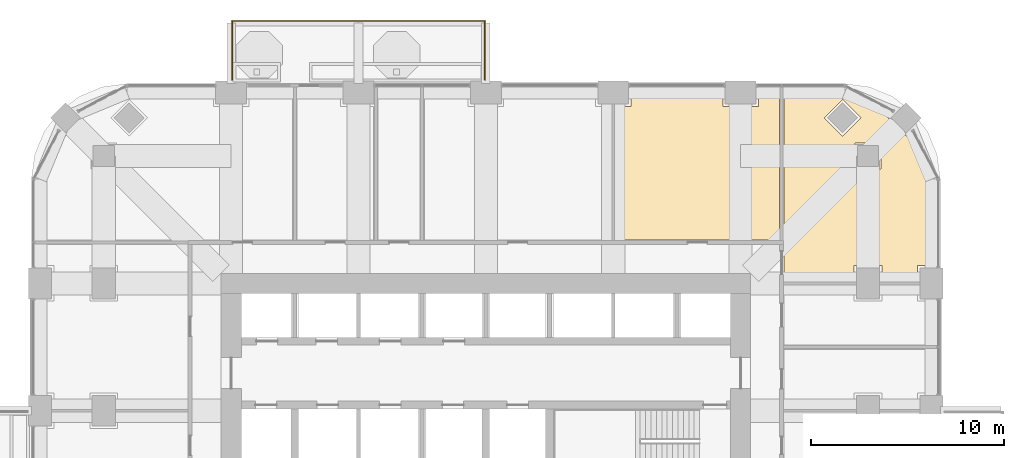
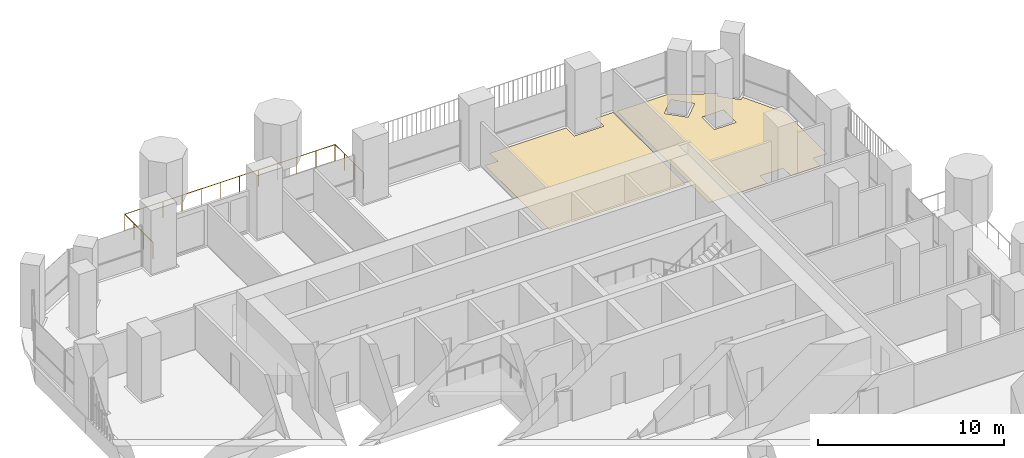
# One storey, part 19 of 20: 2 coverings, 1 railing.
"""IFC4 building model written with IfcOpenShell, lengths in metres."""

from ifc_helpers import new_model, si_unit, direction, frame, origin, place, context, subcontext, project, spatial, polyline, outline, extrude, material, layer, layer_set, type_object, element, save


model = new_model("IFC4")

# Units and contexts
model_context = context("Model", 3, precision=1e-05, world=origin(), true_north=direction((0.0, 1.0)))
body_context = subcontext(model_context, "Body", "Model", "MODEL_VIEW")
ifc_project = project(units=[si_unit("LENGTHUNIT", "METRE"), si_unit("AREAUNIT", "SQUARE_METRE"), si_unit("VOLUMEUNIT", "CUBIC_METRE"), si_unit("PLANEANGLEUNIT", "RADIAN"), si_unit("MASSUNIT", "GRAM", prefix="KILO")], contexts=[model_context])

# Site, building, storey
site_placement = place(None, origin())
site = spatial("IfcSite", under=ifc_project, at=site_placement, CompositionType="ELEMENT")
building_placement = place(site_placement, origin())
building = spatial("IfcBuilding", under=site, at=building_placement, Name="Cobogo Forest Laboratory Tower", CompositionType="ELEMENT")
storey_placement = place(building_placement, frame((0.0, 0.0, 176.699951171875)))
storey = spatial("IfcBuildingStorey", under=building, at=storey_placement, Name="L40", CompositionType="ELEMENT", Elevation=176.699951171875)

# Railing
ifc_material_1 = material(Name="Laminated glass balustrade", Category="glass")
railing_type = type_object("IfcRailingType", Name="BG1 glass balustrade 1100", PredefinedType="GUARDRAIL", material=ifc_material_1)
railing_placement = place(storey_placement, frame((13.25, 43.550048828125, 0.0)))
element("IfcRailing", 1, at=railing_placement, inside=storey, type_object=railing_type, Name="Balcony balustrade BAL-N1 L40", PredefinedType="GUARDRAIL", context=body_context, shape_type="SweptSolid", body=[
    extrude(outline(polyline([(0.022216796875, 0.00927734375), (0.00927734375, 0.022216796875), (-0.00927734375, 0.022216796875), (-0.022216796875, 0.00927734375), (-0.022216796875, -0.00927734375), (-0.00927734375, -0.022216796875), (0.00927734375, -0.022216796875), (0.022216796875, -0.00927734375), (0.022216796875, 0.00927734375)])), frame((0.0, 0.0, 1.077880859375), z_axis=(0.0, 1.0, 0.0), x_axis=(-1.0, 0.0, 0.0)), (0.0, 0.0, 1.0), 3.050048828125),
    extrude(outline(polyline([(0.022216796875, 0.00927734375), (0.00927734375, 0.022216796875), (-0.00927734375, 0.022216796875), (-0.022216796875, 0.00927734375), (-0.022216796875, -0.00927734375), (-0.00927734375, -0.022216796875), (0.00927734375, -0.022216796875), (0.022216796875, -0.00927734375), (0.022216796875, 0.00927734375)])), frame((0.0, 3.050048828125, 1.077880859375), z_axis=(1.0, 0.0, 0.0), x_axis=(0.0, 1.0, 0.0)), (0.0, 0.0, 1.0), 13.10009765625),
    extrude(outline(polyline([(0.022216796875, 0.00927734375), (0.00927734375, 0.022216796875), (-0.00927734375, 0.022216796875), (-0.022216796875, 0.00927734375), (-0.022216796875, -0.00927734375), (-0.00927734375, -0.022216796875), (0.00927734375, -0.022216796875), (0.022216796875, -0.00927734375), (0.022216796875, 0.00927734375)])), frame((13.10009765625, 3.050048828125, 1.077880859375), z_axis=(0.0, -1.0, 0.0), x_axis=(1.0, 0.0, 0.0)), (0.0, 0.0, 1.0), 3.050048828125),
    extrude(outline(polyline([(0.019287109375, 0.008056640625), (0.008056640625, 0.019287109375), (-0.008056640625, 0.019287109375), (-0.019287109375, 0.008056640625), (-0.019287109375, -0.008056640625), (-0.008056640625, -0.019287109375), (0.008056640625, -0.019287109375), (0.019287109375, -0.008056640625), (0.019287109375, 0.008056640625)])), origin(), (0.0, 0.0, 1.0), 1.077880859375),
    extrude(outline(polyline([(0.019287109375, 0.008056640625), (0.008056640625, 0.019287109375), (-0.008056640625, 0.019287109375), (-0.019287109375, 0.008056640625), (-0.019287109375, -0.008056640625), (-0.008056640625, -0.019287109375), (0.008056640625, -0.019287109375), (0.019287109375, -0.008056640625), (0.019287109375, 0.008056640625)])), frame((0.0, 1.0166015625, 0.0)), (0.0, 0.0, 1.0), 1.077880859375),
    extrude(outline(polyline([(0.019287109375, 0.008056640625), (0.008056640625, 0.019287109375), (-0.008056640625, 0.019287109375), (-0.019287109375, 0.008056640625), (-0.019287109375, -0.008056640625), (-0.008056640625, -0.019287109375), (0.008056640625, -0.019287109375), (0.019287109375, -0.008056640625), (0.019287109375, 0.008056640625)])), frame((0.0, 2.033447265625, 0.0)), (0.0, 0.0, 1.0), 1.077880859375),
    extrude(outline(polyline([(0.019287109375, 0.008056640625), (0.008056640625, 0.019287109375), (-0.008056640625, 0.019287109375), (-0.019287109375, 0.008056640625), (-0.019287109375, -0.008056640625), (-0.008056640625, -0.019287109375), (0.008056640625, -0.019287109375), (0.019287109375, -0.008056640625), (0.019287109375, 0.008056640625)])), frame((0.0, 3.050048828125, 0.0)), (0.0, 0.0, 1.0), 1.077880859375),
    extrude(outline(polyline([(0.019287109375, 0.008056640625), (0.008056640625, 0.019287109375), (-0.008056640625, 0.019287109375), (-0.019287109375, 0.008056640625), (-0.019287109375, -0.008056640625), (-0.008056640625, -0.019287109375), (0.008056640625, -0.019287109375), (0.019287109375, -0.008056640625), (0.019287109375, 0.008056640625)])), frame((1.19091796875, 3.050048828125, 0.0)), (0.0, 0.0, 1.0), 1.077880859375),
    extrude(outline(polyline([(0.019287109375, 0.008056640625), (0.008056640625, 0.019287109375), (-0.008056640625, 0.019287109375), (-0.019287109375, 0.008056640625), (-0.019287109375, -0.008056640625), (-0.008056640625, -0.019287109375), (0.008056640625, -0.019287109375), (0.019287109375, -0.008056640625), (0.019287109375, 0.008056640625)])), frame((2.3818359375, 3.050048828125, 0.0)), (0.0, 0.0, 1.0), 1.077880859375),
    extrude(outline(polyline([(0.019287109375, 0.008056640625), (0.008056640625, 0.019287109375), (-0.008056640625, 0.019287109375), (-0.019287109375, 0.008056640625), (-0.019287109375, -0.008056640625), (-0.008056640625, -0.019287109375), (0.008056640625, -0.019287109375), (0.019287109375, -0.008056640625), (0.019287109375, 0.008056640625)])), frame((3.57275390625, 3.050048828125, 0.0)), (0.0, 0.0, 1.0), 1.077880859375),
    extrude(outline(polyline([(0.019287109375, 0.008056640625), (0.008056640625, 0.019287109375), (-0.008056640625, 0.019287109375), (-0.019287109375, 0.008056640625), (-0.019287109375, -0.008056640625), (-0.008056640625, -0.019287109375), (0.008056640625, -0.019287109375), (0.019287109375, -0.008056640625), (0.019287109375, 0.008056640625)])), frame((4.763671875, 3.050048828125, 0.0)), (0.0, 0.0, 1.0), 1.077880859375),
    extrude(outline(polyline([(0.019287109375, 0.008056640625), (0.008056640625, 0.019287109375), (-0.008056640625, 0.019287109375), (-0.019287109375, 0.008056640625), (-0.019287109375, -0.008056640625), (-0.008056640625, -0.019287109375), (0.008056640625, -0.019287109375), (0.019287109375, -0.008056640625), (0.019287109375, 0.008056640625)])), frame((5.95458984375, 3.050048828125, 0.0)), (0.0, 0.0, 1.0), 1.077880859375),
    extrude(outline(polyline([(0.019287109375, 0.008056640625), (0.008056640625, 0.019287109375), (-0.008056640625, 0.019287109375), (-0.019287109375, 0.008056640625), (-0.019287109375, -0.008056640625), (-0.008056640625, -0.019287109375), (0.008056640625, -0.019287109375), (0.019287109375, -0.008056640625), (0.019287109375, 0.008056640625)])), frame((7.1455078125, 3.050048828125, 0.0)), (0.0, 0.0, 1.0), 1.077880859375),
    extrude(outline(polyline([(0.019287109375, 0.008056640625), (0.008056640625, 0.019287109375), (-0.008056640625, 0.019287109375), (-0.019287109375, 0.008056640625), (-0.019287109375, -0.008056640625), (-0.008056640625, -0.019287109375), (0.008056640625, -0.019287109375), (0.019287109375, -0.008056640625), (0.019287109375, 0.008056640625)])), frame((8.33642578125, 3.050048828125, 0.0)), (0.0, 0.0, 1.0), 1.077880859375),
    extrude(outline(polyline([(0.019287109375, 0.008056640625), (0.008056640625, 0.019287109375), (-0.008056640625, 0.019287109375), (-0.019287109375, 0.008056640625), (-0.019287109375, -0.008056640625), (-0.008056640625, -0.019287109375), (0.008056640625, -0.019287109375), (0.019287109375, -0.008056640625), (0.019287109375, 0.008056640625)])), frame((9.52734375, 3.050048828125, 0.0)), (0.0, 0.0, 1.0), 1.077880859375),
    extrude(outline(polyline([(0.019287109375, 0.008056640625), (0.008056640625, 0.019287109375), (-0.008056640625, 0.019287109375), (-0.019287109375, 0.008056640625), (-0.019287109375, -0.008056640625), (-0.008056640625, -0.019287109375), (0.008056640625, -0.019287109375), (0.019287109375, -0.008056640625), (0.019287109375, 0.008056640625)])), frame((10.71826171875, 3.050048828125, 0.0)), (0.0, 0.0, 1.0), 1.077880859375),
    extrude(outline(polyline([(0.019287109375, 0.008056640625), (0.008056640625, 0.019287109375), (-0.008056640625, 0.019287109375), (-0.019287109375, 0.008056640625), (-0.019287109375, -0.008056640625), (-0.008056640625, -0.019287109375), (0.008056640625, -0.019287109375), (0.019287109375, -0.008056640625), (0.019287109375, 0.008056640625)])), frame((11.9091796875, 3.050048828125, 0.0)), (0.0, 0.0, 1.0), 1.077880859375),
    extrude(outline(polyline([(0.019287109375, 0.008056640625), (0.008056640625, 0.019287109375), (-0.008056640625, 0.019287109375), (-0.019287109375, 0.008056640625), (-0.019287109375, -0.008056640625), (-0.008056640625, -0.019287109375), (0.008056640625, -0.019287109375), (0.019287109375, -0.008056640625), (0.019287109375, 0.008056640625)])), frame((13.10009765625, 3.050048828125, 0.0)), (0.0, 0.0, 1.0), 1.077880859375),
    extrude(outline(polyline([(0.019287109375, 0.008056640625), (0.008056640625, 0.019287109375), (-0.008056640625, 0.019287109375), (-0.019287109375, 0.008056640625), (-0.019287109375, -0.008056640625), (-0.008056640625, -0.019287109375), (0.008056640625, -0.019287109375), (0.019287109375, -0.008056640625), (0.019287109375, 0.008056640625)])), frame((13.10009765625, 2.033447265625, 0.0)), (0.0, 0.0, 1.0), 1.077880859375),
    extrude(outline(polyline([(0.019287109375, 0.008056640625), (0.008056640625, 0.019287109375), (-0.008056640625, 0.019287109375), (-0.019287109375, 0.008056640625), (-0.019287109375, -0.008056640625), (-0.008056640625, -0.019287109375), (0.008056640625, -0.019287109375), (0.019287109375, -0.008056640625), (0.019287109375, 0.008056640625)])), frame((13.10009765625, 1.0166015625, 0.0)), (0.0, 0.0, 1.0), 1.077880859375),
    extrude(outline(polyline([(0.019287109375, 0.008056640625), (0.008056640625, 0.019287109375), (-0.008056640625, 0.019287109375), (-0.019287109375, 0.008056640625), (-0.019287109375, -0.008056640625), (-0.008056640625, -0.019287109375), (0.008056640625, -0.019287109375), (0.019287109375, -0.008056640625), (0.019287109375, 0.008056640625)])), frame((13.10009765625, 0.0, 0.0)), (0.0, 0.0, 1.0), 1.077880859375),
])

# Coverings
ifc_material_2 = material(Name="Carpet tile on raised access floor", Category="flooring")
ifc_layer_1 = layer(ifc_material_2, 0.008056640625)
ifc_layer_set_1 = layer_set([ifc_layer_1], Name="CT1 carpet tile floor 8")
covering_type_1 = type_object("IfcCoveringType", Name="CT1 carpet tile floor 8", PredefinedType="FLOORING", material=ifc_layer_set_1)
covering_1_placement = place(storey_placement, origin())
element("IfcCovering", 2, at=covering_1_placement, inside=storey, type_object=covering_type_1, Name="Carpet floor L40-17", PredefinedType="FLOORING", context=body_context, shape_type="SweptSolid", body=[
    extrude(outline(polyline([(33.1201171875, 35.2451171875), (33.1201171875, 42.179931640625), (33.919921875, 42.179931640625), (33.919921875, 43.050048828125), (38.679931640625, 43.050048828125), (38.679931640625, 42.179931640625), (40.52001953125, 42.179931640625), (40.52001953125, 43.050048828125), (41.60498046875, 43.050048828125), (41.60498046875, 35.2451171875), (33.1201171875, 35.2451171875)])), origin(), (0.0, 0.0, 1.0), 0.008056640625),
])
ifc_material_3 = material(Name="Static-dissipative vinyl flooring", Category="flooring")
ifc_layer_2 = layer(ifc_material_3, 0.0029296875)
ifc_layer_set_2 = layer_set([ifc_layer_2], Name="SD1 static-dissipative vinyl floor 3")
covering_type_2 = type_object("IfcCoveringType", Name="SD1 static-dissipative vinyl floor 3", PredefinedType="FLOORING", material=ifc_layer_set_2)
covering_2_placement = place(storey_placement, origin())
element("IfcCovering", 3, at=covering_2_placement, inside=storey, type_object=covering_type_2, Name="Static-dissipative floor L40-12", PredefinedType="FLOORING", context=body_context, shape_type="SweptSolid", body=[
    extrude(outline(polyline([(41.844970703125, 43.050048828125), (44.95068359375, 43.050048828125), (47.412109375, 41.759765625), (47.234375, 41.58203125), (48.181884765625, 40.634521484375), (48.359619140625, 40.812255859375), (49.64990234375, 38.350830078125), (49.64990234375, 33.919921875), (48.780029296875, 33.919921875), (48.780029296875, 33.1201171875), (46.919921875, 33.1201171875), (46.919921875, 33.919921875), (45.47998046875, 33.919921875), (45.47998046875, 33.1201171875), (41.844970703125, 33.1201171875), (41.844970703125, 43.050048828125)]), holes=[polyline([(45.530029296875, 40.27001953125), (45.530029296875, 38.929931640625), (46.8701171875, 38.929931640625), (46.8701171875, 40.27001953125), (45.530029296875, 40.27001953125)]), polyline([(44.882080078125, 40.634521484375), (45.82958984375, 41.58203125), (44.882080078125, 42.529541015625), (43.9345703125, 41.58203125), (44.882080078125, 40.634521484375)])]), origin(), (0.0, 0.0, 1.0), 0.0029296875),
])

save(model, "model.ifc")
